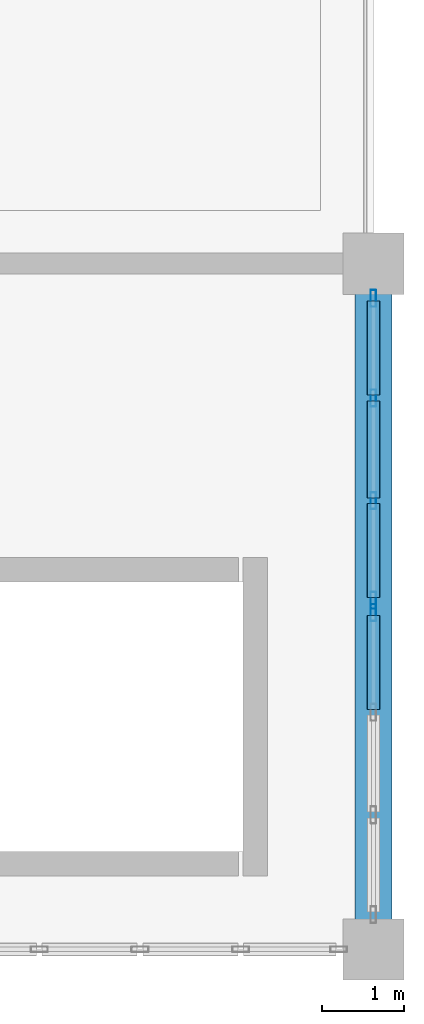
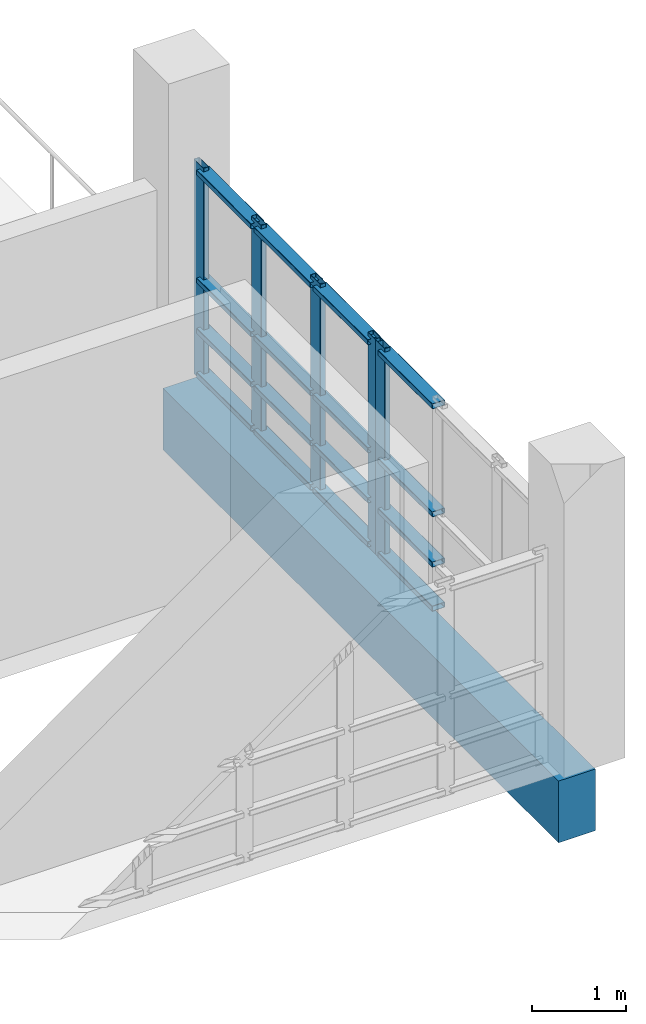
# One storey, part 119 of 188: 21 members, 1 beam, 2 elements without a shape of their own.
"""IFC4 building model written with IfcOpenShell, lengths in metres."""

import ifcopenshell
import ifcopenshell.guid

model = None  # the IFC model being written
_history = None  # IfcOwnerHistory: only IFC2X3 demands one
_inside = {}  # id of a spatial element -> (the spatial element, [elements in it])
_under = {}  # id of a project, library or spatial element -> (it, [spatial elements below it])
_declared = {}  # id of a project -> (the project, [libraries it declares])
_typed = {}  # id of a type object -> (the type object, [elements of that type])
_made_of = {}  # id of a material, layer set ... -> (it, [elements and type objects made of it])


def new_model(schema):
    """Start an empty IFC model of exactly this schema.

    Asked for "IFC4X3", IfcOpenShell would pick the latest addendum, in which some entities
    have other attributes; the version numbers below select the first issue.
    IFC2X3 requires an IfcOwnerHistory on every rooted entity: one is made here for all.
    """
    global model, _history
    if schema == "IFC4X3":
        model = ifcopenshell.file(schema_version=(4, 3, 0, 0))
    else:
        model = ifcopenshell.file(schema=schema)
    _inside.clear()
    _under.clear()
    _declared.clear()
    _typed.clear()
    _made_of.clear()
    _history = None
    if model.schema == "IFC2X3":
        org = make("IfcOrganization", Name="unknown")
        user = make(
            "IfcPersonAndOrganization",
            ThePerson=make("IfcPerson", FamilyName="unknown"),
            TheOrganization=org,
        )
        app = make(
            "IfcApplication",
            ApplicationDeveloper=org,
            Version="unknown",
            ApplicationFullName="unknown",
            ApplicationIdentifier="unknown",
        )
        _history = make(
            "IfcOwnerHistory",
            OwningUser=user,
            OwningApplication=app,
            ChangeAction="ADDED",
            CreationDate=0,
        )
    return model


def make(cls, **values):
    """One entity of the class cls with the attributes given. An attribute that is None is left unset."""
    return model.create_entity(
        cls, **{name: value for name, value in values.items() if value is not None}
    )


def rooted(cls, **values):
    """An entity with a GlobalId (a new one), such as an element, a storey or a relation."""
    return make(cls, GlobalId=ifcopenshell.guid.new(), OwnerHistory=_history, **values)


def si_unit(unit_type, name, prefix=None):
    """IfcSIUnit, for example si_unit("LENGTHUNIT", "METRE", prefix="MILLI")."""
    return make("IfcSIUnit", UnitType=unit_type, Prefix=prefix, Name=name)


def assignment(units):
    """IfcUnitAssignment: the units of a project."""
    return None if units is None else make("IfcUnitAssignment", Units=units)


def point(xyz):
    """IfcCartesianPoint."""
    return None if xyz is None else make("IfcCartesianPoint", Coordinates=xyz)


def direction(xyz):
    """IfcDirection."""
    return None if xyz is None else make("IfcDirection", DirectionRatios=xyz)


def frame(location, z_axis=None, x_axis=None):
    """IfcAxis2Placement3D, a coordinate frame: its origin and axes. An axis left out is left unset."""
    return make(
        "IfcAxis2Placement3D",
        Location=point(location),
        Axis=direction(z_axis),
        RefDirection=direction(x_axis),
    )


def frame_2d(location, x_axis=None):
    """IfcAxis2Placement2D, a coordinate frame in the plane: its origin and x axis."""
    return make(
        "IfcAxis2Placement2D", Location=point(location), RefDirection=direction(x_axis)
    )


def origin():
    """The frame at (0, 0, 0) with its axes left unset."""
    return frame((0.0, 0.0, 0.0))


def origin_2d():
    """The frame at (0, 0) in the plane with its x axis left unset."""
    return frame_2d((0.0, 0.0))


def place(relative_to, where):
    """IfcLocalPlacement: puts the frame where relative to a parent placement (None: the world)."""
    return make(
        "IfcLocalPlacement", PlacementRelTo=relative_to, RelativePlacement=where
    )


def context(
    kind, dimensions, precision=None, world=None, true_north=None, identifier=None
):
    """IfcGeometricRepresentationContext, for example the 3D "Model" context."""
    return make(
        "IfcGeometricRepresentationContext",
        ContextIdentifier=identifier,
        ContextType=kind,
        CoordinateSpaceDimension=dimensions,
        Precision=precision,
        WorldCoordinateSystem=world,
        TrueNorth=true_north,
    )


def subcontext(parent, identifier, kind, view, scale=None):
    """IfcGeometricRepresentationSubContext, for example "Body" below "Model"."""
    return make(
        "IfcGeometricRepresentationSubContext",
        ContextIdentifier=identifier,
        ContextType=kind,
        ParentContext=parent,
        TargetScale=scale,
        TargetView=view,
    )


def project(units=None, contexts=None):
    """IfcProject with its units and contexts."""
    return rooted(
        "IfcProject",
        Name="project",
        RepresentationContexts=contexts,
        UnitsInContext=assignment(units),
    )


def spatial(cls, under=None, at=None, **own):
    """A site, building, storey or space (cls), placed at a placement, below another one or the project."""
    s = rooted(cls, ObjectPlacement=at, **own)
    if under is not None:
        _under.setdefault(under.id(), (under, []))[1].append(s)
    return s


def profile(cls, at=None, kind="AREA", **sizes):
    """A parametric profile (cls). Its sizes go by their IFC names, for example OverallWidth=200.0."""
    return make(cls, ProfileType=kind, Position=at, **sizes)


def rectangle(**sizes):
    """IfcRectangleProfileDef."""
    return profile("IfcRectangleProfileDef", **sizes)


def hollow_rectangle(**sizes):
    """IfcRectangleHollowProfileDef."""
    return profile("IfcRectangleHollowProfileDef", **sizes)


def extrude(swept, where, along, depth):
    """IfcExtrudedAreaSolid: the profile swept, set in the frame where, extruded along a direction by depth."""
    return make(
        "IfcExtrudedAreaSolid",
        SweptArea=swept,
        Position=where,
        ExtrudedDirection=direction(along),
        Depth=depth,
    )


def shape(context_of_items, identifier, shape_type, items):
    """IfcShapeRepresentation: the items that make up one representation, for example the "Body"."""
    return make(
        "IfcShapeRepresentation",
        ContextOfItems=context_of_items,
        RepresentationIdentifier=identifier,
        RepresentationType=shape_type,
        Items=items,
    )


def material(Name=None, Category=None):
    """IfcMaterial."""
    return make("IfcMaterial", Name=Name, Category=Category)


def layer(
    of_material, thickness, ventilated=None, Name=None, Category=None, Priority=None
):
    """IfcMaterialLayer: one layer of a wall or slab, of a material (None: an air gap)."""
    return make(
        "IfcMaterialLayer",
        Material=of_material,
        LayerThickness=thickness,
        IsVentilated=ventilated,
        Name=Name,
        Category=Category,
        Priority=Priority,
    )


def layer_set(layers, Name=None):
    """IfcMaterialLayerSet."""
    return make("IfcMaterialLayerSet", MaterialLayers=layers, LayerSetName=Name)


def material_profile(
    of_material, cross_section, Name=None, Category=None, Priority=None
):
    """IfcMaterialProfile: a cross section and its material."""
    return make(
        "IfcMaterialProfile",
        Name=Name,
        Material=of_material,
        Profile=cross_section,
        Priority=Priority,
        Category=Category,
    )


def profile_set(profiles, Name=None, composite=None):
    """IfcMaterialProfileSet."""
    return make(
        "IfcMaterialProfileSet",
        Name=Name,
        MaterialProfiles=profiles,
        CompositeProfile=composite,
    )


def made_of(thing, what):
    """Note that an element or type object is made of a material, layer set ...; save() writes the relation."""
    if what is not None:
        _made_of.setdefault(what.id(), (what, []))[1].append(thing)
    return thing


def type_object(cls, material=None, **own):
    """A type object (cls), such as IfcWallType, which elements share."""
    return made_of(rooted(cls, **own), material)


def element(
    cls,
    number,
    at=None,
    inside=None,
    cuts=None,
    type_object=None,
    material=None,
    context=None,
    identifier="Body",
    shape_type=None,
    held_by="IfcProductDefinitionShape",
    body=None,
    shapes=None,
    **own,
):
    """One element of the class cls, such as IfcWall. Its Tag is "e" and its number.

    at: its placement. inside: the storey or other place that contains it. cuts: it is an
    opening in that element (IfcRelVoidsElement). A single representation is given by context,
    identifier, shape_type and body (its items); several are given by shapes. held_by: the class
    of the entity that holds the representations. save() writes the other relations.
    """
    e = rooted(cls, Tag="e%d" % number, ObjectPlacement=at, **own)
    if body is not None:
        shapes = [shape(context, identifier, shape_type, body)]
    if shapes is not None:
        e.Representation = make(held_by, Representations=shapes)
    if inside is not None:
        _inside.setdefault(inside.id(), (inside, []))[1].append(e)
    if cuts is not None:
        rooted(
            "IfcRelVoidsElement", RelatingBuildingElement=cuts, RelatedOpeningElement=e
        )
    if type_object is not None:
        _typed.setdefault(type_object.id(), (type_object, []))[1].append(e)
    return made_of(e, material)


def aggregate(whole, parts):
    """IfcRelAggregates: a whole, such as a stair, and the parts it consists of."""
    return rooted("IfcRelAggregates", RelatingObject=whole, RelatedObjects=parts)


def save(model, path):
    """Write the relations noted so far, then the file.

    IfcRelAggregates (storeys below a building ...), IfcRelContainedInSpatialStructure (elements
    in a storey), IfcRelDefinesByType, IfcRelAssociatesMaterial and IfcRelDeclares: one each for
    every whole, place, type object, material and project.
    """
    for whole, parts in _under.values():
        aggregate(whole, parts)
    for where, things in _inside.values():
        rooted(
            "IfcRelContainedInSpatialStructure",
            RelatedElements=things,
            RelatingStructure=where,
        )
    for kind, things in _typed.values():
        rooted("IfcRelDefinesByType", RelatedObjects=things, RelatingType=kind)
    for what, things in _made_of.values():
        rooted("IfcRelAssociatesMaterial", RelatedObjects=things, RelatingMaterial=what)
    for by, libraries in _declared.values():
        rooted("IfcRelDeclares", RelatingContext=by, RelatedDefinitions=libraries)
    model.write(path)


model = new_model("IFC4")

# Units and contexts
model_context = context("Model", 3, precision=1e-05, world=origin(), true_north=direction((0.0, 1.0)))
body_context = subcontext(model_context, "Body", "Model", "MODEL_VIEW")
ifc_project = project(units=[si_unit("LENGTHUNIT", "METRE"), si_unit("AREAUNIT", "SQUARE_METRE"), si_unit("VOLUMEUNIT", "CUBIC_METRE"), si_unit("PLANEANGLEUNIT", "RADIAN"), si_unit("MASSUNIT", "GRAM", prefix="KILO")], contexts=[model_context])

# Site, building, storey
site_placement = place(None, origin())
site = spatial("IfcSite", under=ifc_project, at=site_placement, CompositionType="ELEMENT")
building_placement = place(site_placement, origin())
building = spatial("IfcBuilding", under=site, at=building_placement, Name="Kisaragi Civic Commons", CompositionType="ELEMENT")
storey_placement = place(building_placement, frame((0.0, 0.0, 9.60009765625)))
storey = spatial("IfcBuildingStorey", under=building, at=storey_placement, Name="L02", CompositionType="ELEMENT", Elevation=9.60009765625)

# Curtain wall, members
ifc_material_1 = material(Name="Thermally broken anodized aluminium and low-E double glazing", Category="aluminium")
ifc_layer = layer(ifc_material_1, 0.2099609375, Name="Thermally broken anodized aluminium and low-E double glazing", Category="aluminium")
ifc_layer_set = layer_set([ifc_layer], Name="Thermally broken anodized aluminium and low-E double glazing")
curtain_wall_type = type_object("IfcCurtainWallType", Name="CW-02", PredefinedType="NOTDEFINED", material=ifc_layer_set)
curtain_wall_1_placement = place(storey_placement, origin())
curtain_wall_1 = element("IfcCurtainWall", 1, at=curtain_wall_1_placement, inside=storey, type_object=curtain_wall_type, Name="L02 curtain wall CW-02 CW-V3-L02-039", PredefinedType="NOTDEFINED")
ifc_material_profile_1 = material_profile(ifc_material_1, hollow_rectangle(XDim=0.070068359375, YDim=0.2099609375, WallThickness=0.0048828125, InnerFilletRadius=0.0048828125, OuterFilletRadius=0.010009765625, at=origin_2d()), Name="CWM-70x210x5", Category="aluminium")
ifc_profile_set_1 = profile_set([ifc_material_profile_1], Name="Thermally broken anodized aluminium and low-E double glazing")
member_type_1 = type_object("IfcMemberType", Name="CWM-03", PredefinedType="MULLION", material=ifc_profile_set_1)
member_1_placement = place(storey_placement, frame((172.800048828125, 7.97509765625, 0.0), z_axis=(0.0, 0.0, 1.0), x_axis=(1.0, 0.0, 0.0)))
member_1 = element("IfcMember", 2, at=member_1_placement, type_object=member_type_1, Name="CW-02 mullion 1", PredefinedType="MULLION", context=body_context, shape_type="SweptSolid", body=[
    extrude(hollow_rectangle(XDim=0.070068359375, YDim=0.2099609375, WallThickness=0.0048828125, InnerFilletRadius=0.0048828125, OuterFilletRadius=0.010009765625, at=origin_2d()), origin(), (0.0, 0.0, 1.0), 2.77978515625),
])
member_2_placement = place(storey_placement, frame((172.800048828125, 6.75341796875, 0.0), z_axis=(0.0, 0.0, 1.0), x_axis=(1.0, 0.0, 0.0)))
member_2 = element("IfcMember", 3, at=member_2_placement, type_object=member_type_1, Name="CW-02 mullion 2", PredefinedType="MULLION", context=body_context, shape_type="SweptSolid", body=[
    extrude(hollow_rectangle(XDim=0.070068359375, YDim=0.2099609375, WallThickness=0.0048828125, InnerFilletRadius=0.0048828125, OuterFilletRadius=0.010009765625, at=origin_2d()), origin(), (0.0, 0.0, 1.0), 2.77978515625),
])
member_3_placement = place(storey_placement, frame((172.800048828125, 5.49658203125, 0.0), z_axis=(0.0, 0.0, 1.0), x_axis=(1.0, 0.0, 0.0)))
member_3 = element("IfcMember", 4, at=member_3_placement, type_object=member_type_1, Name="CW-02 mullion 3", PredefinedType="MULLION", context=body_context, shape_type="SweptSolid", body=[
    extrude(hollow_rectangle(XDim=0.070068359375, YDim=0.2099609375, WallThickness=0.0048828125, InnerFilletRadius=0.0048828125, OuterFilletRadius=0.010009765625, at=origin_2d()), origin(), (0.0, 0.0, 1.0), 2.77978515625),
])
member_4_placement = place(storey_placement, frame((172.800048828125, 4.27490234375, 0.0), z_axis=(0.0, 0.0, 1.0), x_axis=(1.0, 0.0, 0.0)))
member_4 = element("IfcMember", 5, at=member_4_placement, type_object=member_type_1, Name="CW-02 mullion 4", PredefinedType="MULLION", context=body_context, shape_type="SweptSolid", body=[
    extrude(hollow_rectangle(XDim=0.070068359375, YDim=0.2099609375, WallThickness=0.0048828125, InnerFilletRadius=0.0048828125, OuterFilletRadius=0.010009765625, at=origin_2d()), origin(), (0.0, 0.0, 1.0), 2.77978515625),
])

# Curtain wall, member
curtain_wall_2_placement = place(storey_placement, origin())
curtain_wall_2 = element("IfcCurtainWall", 6, at=curtain_wall_2_placement, inside=storey, type_object=curtain_wall_type, Name="L02 curtain wall CW-02 CW-V3-L02-040", PredefinedType="NOTDEFINED")
member_5_placement = place(storey_placement, frame((172.800048828125, 4.125, 0.0), z_axis=(0.0, 0.0, 1.0), x_axis=(1.0, 0.0, 0.0)))
member_5 = element("IfcMember", 7, at=member_5_placement, type_object=member_type_1, Name="CW-02 mullion 1", PredefinedType="MULLION", context=body_context, shape_type="SweptSolid", body=[
    extrude(hollow_rectangle(XDim=0.070068359375, YDim=0.2099609375, WallThickness=0.0048828125, InnerFilletRadius=0.0048828125, OuterFilletRadius=0.010009765625, at=origin_2d()), origin(), (0.0, 0.0, 1.0), 2.77978515625),
])

# Member
ifc_material_profile_2 = material_profile(ifc_material_1, hollow_rectangle(XDim=0.159912109375, YDim=0.070068359375, WallThickness=0.0048828125, InnerFilletRadius=0.0048828125, OuterFilletRadius=0.010009765625, at=origin_2d()), Name="CWT-70x160x5", Category="aluminium")
ifc_profile_set_2 = profile_set([ifc_material_profile_2], Name="Thermally broken anodized aluminium and low-E double glazing")
member_type_2 = type_object("IfcMemberType", Name="CWT-03", PredefinedType="USERDEFINED", material=ifc_profile_set_2)
member_6_placement = place(storey_placement, frame((172.800048828125, 7.93994140625, 0.079833984375), z_axis=(0.0, -1.0, 0.0), x_axis=(1.0, 0.0, 0.0)))
member_6 = element("IfcMember", 8, at=member_6_placement, type_object=member_type_2, Name="CW-02 transom 1.1", ObjectType="TRANSOM", PredefinedType="USERDEFINED", context=body_context, shape_type="SweptSolid", body=[
    extrude(hollow_rectangle(XDim=0.159912109375, YDim=0.070068359375, WallThickness=0.0048828125, InnerFilletRadius=0.0048828125, OuterFilletRadius=0.010009765625, at=origin_2d()), origin(), (0.0, 0.0, 1.0), 1.151611328125),
])

member_7_placement = place(storey_placement, frame((172.800048828125, 7.93994140625, 0.64990234375), z_axis=(0.0, -1.0, 0.0), x_axis=(1.0, 0.0, 0.0)))
member_7 = element("IfcMember", 9, at=member_7_placement, type_object=member_type_2, Name="CW-02 transom 1.2", ObjectType="TRANSOM", PredefinedType="USERDEFINED", context=body_context, shape_type="SweptSolid", body=[
    extrude(hollow_rectangle(XDim=0.159912109375, YDim=0.070068359375, WallThickness=0.0048828125, InnerFilletRadius=0.0048828125, OuterFilletRadius=0.010009765625, at=origin_2d()), origin(), (0.0, 0.0, 1.0), 1.151611328125),
])

member_8_placement = place(storey_placement, frame((172.800048828125, 7.93994140625, 1.2998046875), z_axis=(0.0, -1.0, 0.0), x_axis=(1.0, 0.0, 0.0)))
member_8 = element("IfcMember", 10, at=member_8_placement, type_object=member_type_2, Name="CW-02 transom 1.3", ObjectType="TRANSOM", PredefinedType="USERDEFINED", context=body_context, shape_type="SweptSolid", body=[
    extrude(hollow_rectangle(XDim=0.159912109375, YDim=0.070068359375, WallThickness=0.0048828125, InnerFilletRadius=0.0048828125, OuterFilletRadius=0.010009765625, at=origin_2d()), origin(), (0.0, 0.0, 1.0), 1.151611328125),
])

member_9_placement = place(storey_placement, frame((172.800048828125, 7.93994140625, 2.699951171875), z_axis=(0.0, -1.0, 0.0), x_axis=(1.0, 0.0, 0.0)))
member_9 = element("IfcMember", 11, at=member_9_placement, type_object=member_type_2, Name="CW-02 transom 1.4", ObjectType="TRANSOM", PredefinedType="USERDEFINED", context=body_context, shape_type="SweptSolid", body=[
    extrude(hollow_rectangle(XDim=0.159912109375, YDim=0.070068359375, WallThickness=0.0048828125, InnerFilletRadius=0.0048828125, OuterFilletRadius=0.010009765625, at=origin_2d()), origin(), (0.0, 0.0, 1.0), 1.151611328125),
])

member_10_placement = place(storey_placement, frame((172.800048828125, 6.71826171875, 0.079833984375), z_axis=(0.0, -1.0, 0.0), x_axis=(1.0, 0.0, 0.0)))
member_10 = element("IfcMember", 12, at=member_10_placement, type_object=member_type_2, Name="CW-02 transom 2.1", ObjectType="TRANSOM", PredefinedType="USERDEFINED", context=body_context, shape_type="SweptSolid", body=[
    extrude(hollow_rectangle(XDim=0.159912109375, YDim=0.070068359375, WallThickness=0.0048828125, InnerFilletRadius=0.0048828125, OuterFilletRadius=0.010009765625, at=origin_2d()), origin(), (0.0, 0.0, 1.0), 1.1865234375),
])

member_11_placement = place(storey_placement, frame((172.800048828125, 6.71826171875, 0.64990234375), z_axis=(0.0, -1.0, 0.0), x_axis=(1.0, 0.0, 0.0)))
member_11 = element("IfcMember", 13, at=member_11_placement, type_object=member_type_2, Name="CW-02 transom 2.2", ObjectType="TRANSOM", PredefinedType="USERDEFINED", context=body_context, shape_type="SweptSolid", body=[
    extrude(hollow_rectangle(XDim=0.159912109375, YDim=0.070068359375, WallThickness=0.0048828125, InnerFilletRadius=0.0048828125, OuterFilletRadius=0.010009765625, at=origin_2d()), origin(), (0.0, 0.0, 1.0), 1.1865234375),
])

member_12_placement = place(storey_placement, frame((172.800048828125, 6.71826171875, 1.2998046875), z_axis=(0.0, -1.0, 0.0), x_axis=(1.0, 0.0, 0.0)))
member_12 = element("IfcMember", 14, at=member_12_placement, type_object=member_type_2, Name="CW-02 transom 2.3", ObjectType="TRANSOM", PredefinedType="USERDEFINED", context=body_context, shape_type="SweptSolid", body=[
    extrude(hollow_rectangle(XDim=0.159912109375, YDim=0.070068359375, WallThickness=0.0048828125, InnerFilletRadius=0.0048828125, OuterFilletRadius=0.010009765625, at=origin_2d()), origin(), (0.0, 0.0, 1.0), 1.1865234375),
])

member_13_placement = place(storey_placement, frame((172.800048828125, 6.71826171875, 2.699951171875), z_axis=(0.0, -1.0, 0.0), x_axis=(1.0, 0.0, 0.0)))
member_13 = element("IfcMember", 15, at=member_13_placement, type_object=member_type_2, Name="CW-02 transom 2.4", ObjectType="TRANSOM", PredefinedType="USERDEFINED", context=body_context, shape_type="SweptSolid", body=[
    extrude(hollow_rectangle(XDim=0.159912109375, YDim=0.070068359375, WallThickness=0.0048828125, InnerFilletRadius=0.0048828125, OuterFilletRadius=0.010009765625, at=origin_2d()), origin(), (0.0, 0.0, 1.0), 1.1865234375),
])

member_14_placement = place(storey_placement, frame((172.800048828125, 5.461669921875, 0.079833984375), z_axis=(0.0, -1.0, 0.0), x_axis=(1.0, 0.0, 0.0)))
member_14 = element("IfcMember", 16, at=member_14_placement, type_object=member_type_2, Name="CW-02 transom 3.1", ObjectType="TRANSOM", PredefinedType="USERDEFINED", context=body_context, shape_type="SweptSolid", body=[
    extrude(hollow_rectangle(XDim=0.159912109375, YDim=0.070068359375, WallThickness=0.0048828125, InnerFilletRadius=0.0048828125, OuterFilletRadius=0.010009765625, at=origin_2d()), origin(), (0.0, 0.0, 1.0), 1.151611328125),
])

member_15_placement = place(storey_placement, frame((172.800048828125, 5.461669921875, 0.64990234375), z_axis=(0.0, -1.0, 0.0), x_axis=(1.0, 0.0, 0.0)))
member_15 = element("IfcMember", 17, at=member_15_placement, type_object=member_type_2, Name="CW-02 transom 3.2", ObjectType="TRANSOM", PredefinedType="USERDEFINED", context=body_context, shape_type="SweptSolid", body=[
    extrude(hollow_rectangle(XDim=0.159912109375, YDim=0.070068359375, WallThickness=0.0048828125, InnerFilletRadius=0.0048828125, OuterFilletRadius=0.010009765625, at=origin_2d()), origin(), (0.0, 0.0, 1.0), 1.151611328125),
])

member_16_placement = place(storey_placement, frame((172.800048828125, 5.461669921875, 1.2998046875), z_axis=(0.0, -1.0, 0.0), x_axis=(1.0, 0.0, 0.0)))
member_16 = element("IfcMember", 18, at=member_16_placement, type_object=member_type_2, Name="CW-02 transom 3.3", ObjectType="TRANSOM", PredefinedType="USERDEFINED", context=body_context, shape_type="SweptSolid", body=[
    extrude(hollow_rectangle(XDim=0.159912109375, YDim=0.070068359375, WallThickness=0.0048828125, InnerFilletRadius=0.0048828125, OuterFilletRadius=0.010009765625, at=origin_2d()), origin(), (0.0, 0.0, 1.0), 1.151611328125),
])

member_17_placement = place(storey_placement, frame((172.800048828125, 5.461669921875, 2.699951171875), z_axis=(0.0, -1.0, 0.0), x_axis=(1.0, 0.0, 0.0)))
member_17 = element("IfcMember", 19, at=member_17_placement, type_object=member_type_2, Name="CW-02 transom 3.4", ObjectType="TRANSOM", PredefinedType="USERDEFINED", context=body_context, shape_type="SweptSolid", body=[
    extrude(hollow_rectangle(XDim=0.159912109375, YDim=0.070068359375, WallThickness=0.0048828125, InnerFilletRadius=0.0048828125, OuterFilletRadius=0.010009765625, at=origin_2d()), origin(), (0.0, 0.0, 1.0), 1.151611328125),
])

aggregate(curtain_wall_1, [member_1, member_2, member_3, member_4, member_6, member_7, member_8, member_9, member_10, member_11, member_12, member_13, member_14, member_15, member_16, member_17])

member_18_placement = place(storey_placement, frame((172.800048828125, 4.090087890625, 0.079833984375), z_axis=(0.0, -1.0, 0.0), x_axis=(1.0, 0.0, 0.0)))
member_18 = element("IfcMember", 20, at=member_18_placement, type_object=member_type_2, Name="CW-02 transom 1.1", ObjectType="TRANSOM", PredefinedType="USERDEFINED", context=body_context, shape_type="SweptSolid", body=[
    extrude(hollow_rectangle(XDim=0.159912109375, YDim=0.070068359375, WallThickness=0.0048828125, InnerFilletRadius=0.0048828125, OuterFilletRadius=0.010009765625, at=origin_2d()), origin(), (0.0, 0.0, 1.0), 1.15185546875),
])

member_19_placement = place(storey_placement, frame((172.800048828125, 4.090087890625, 0.64990234375), z_axis=(0.0, -1.0, 0.0), x_axis=(1.0, 0.0, 0.0)))
member_19 = element("IfcMember", 21, at=member_19_placement, type_object=member_type_2, Name="CW-02 transom 1.2", ObjectType="TRANSOM", PredefinedType="USERDEFINED", context=body_context, shape_type="SweptSolid", body=[
    extrude(hollow_rectangle(XDim=0.159912109375, YDim=0.070068359375, WallThickness=0.0048828125, InnerFilletRadius=0.0048828125, OuterFilletRadius=0.010009765625, at=origin_2d()), origin(), (0.0, 0.0, 1.0), 1.15185546875),
])

member_20_placement = place(storey_placement, frame((172.800048828125, 4.090087890625, 1.2998046875), z_axis=(0.0, -1.0, 0.0), x_axis=(1.0, 0.0, 0.0)))
member_20 = element("IfcMember", 22, at=member_20_placement, type_object=member_type_2, Name="CW-02 transom 1.3", ObjectType="TRANSOM", PredefinedType="USERDEFINED", context=body_context, shape_type="SweptSolid", body=[
    extrude(hollow_rectangle(XDim=0.159912109375, YDim=0.070068359375, WallThickness=0.0048828125, InnerFilletRadius=0.0048828125, OuterFilletRadius=0.010009765625, at=origin_2d()), origin(), (0.0, 0.0, 1.0), 1.15185546875),
])

member_21_placement = place(storey_placement, frame((172.800048828125, 4.090087890625, 2.699951171875), z_axis=(0.0, -1.0, 0.0), x_axis=(1.0, 0.0, 0.0)))
member_21 = element("IfcMember", 23, at=member_21_placement, type_object=member_type_2, Name="CW-02 transom 1.4", ObjectType="TRANSOM", PredefinedType="USERDEFINED", context=body_context, shape_type="SweptSolid", body=[
    extrude(hollow_rectangle(XDim=0.159912109375, YDim=0.070068359375, WallThickness=0.0048828125, InnerFilletRadius=0.0048828125, OuterFilletRadius=0.010009765625, at=origin_2d()), origin(), (0.0, 0.0, 1.0), 1.15185546875),
])

aggregate(curtain_wall_2, [member_5, member_18, member_19, member_20, member_21])

# Beam
ifc_material_2 = material(Name="Concrete Fc30", Category="concrete")
ifc_material_profile_3 = material_profile(ifc_material_2, rectangle(XDim=0.449951171875, YDim=0.800048828125, at=origin_2d()), Name="RC-450x800", Category="concrete")
ifc_profile_set_3 = profile_set([ifc_material_profile_3], Name="Concrete Fc30")
beam_type = type_object("IfcBeamType", Name="SPB-01", PredefinedType="SPANDREL", material=ifc_profile_set_3)
beam_placement = place(storey_placement, frame((172.800048828125, 0.0, -0.72021484375), z_axis=(0.0, 1.0, 0.0), x_axis=(-1.0, 0.0, 0.0)))
element("IfcBeam", 24, at=beam_placement, inside=storey, type_object=beam_type, Name="L02 girder SPB-01 292", PredefinedType="SPANDREL", context=body_context, shape_type="SweptSolid", body=[
    extrude(rectangle(XDim=0.449951171875, YDim=0.800048828125, at=origin_2d()), origin(), (0.0, 0.0, 1.0), 8.39990234375),
])

save(model, "model.ifc")
